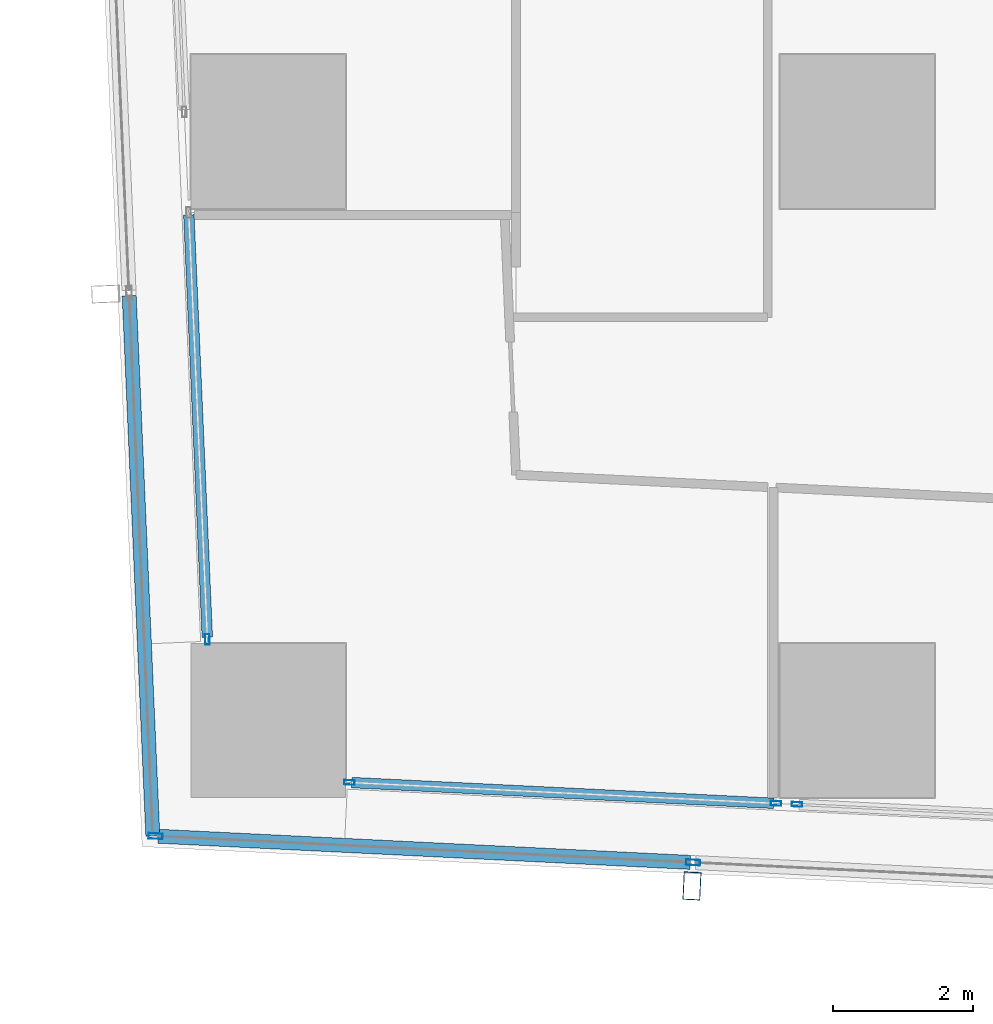
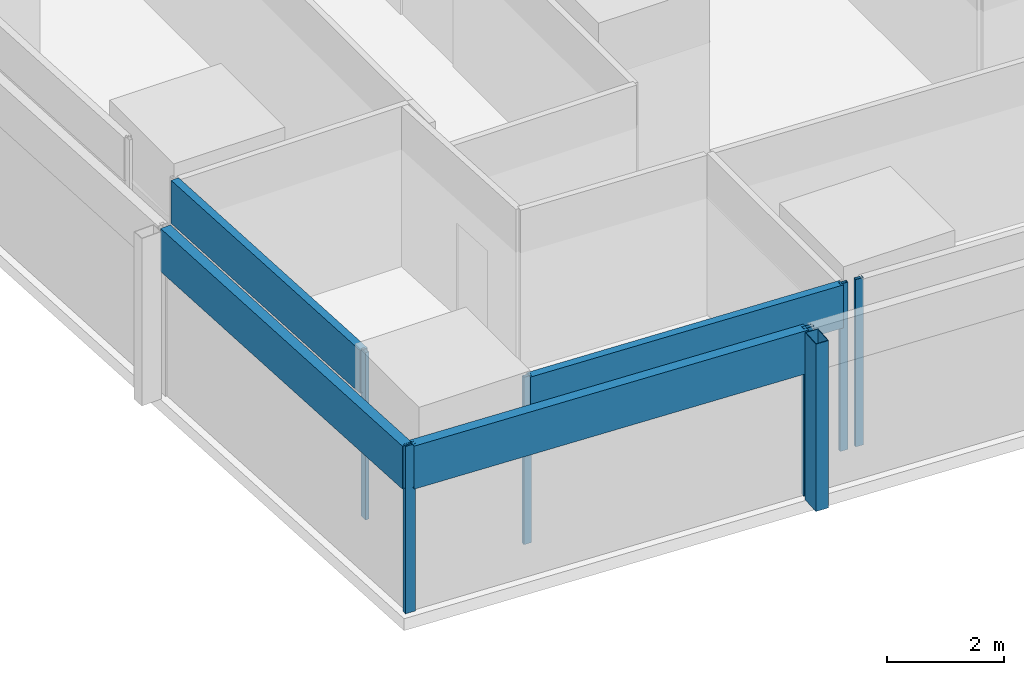
# One storey, part 2 of 45: 11 members, 5 elements without a shape of their own.
"""IFC4 building model written with IfcOpenShell, lengths in metres."""

from ifc_helpers import new_model, si_unit, direction, frame, origin, origin_2d, place, context, subcontext, project, spatial, hollow_rectangle, extrude, material, material_profile, profile_set, type_object, element, aggregate, save


model = new_model("IFC4")

# Units and contexts
model_context = context("Model", 3, precision=1e-05, world=origin(), true_north=direction((0.0, 1.0)))
body_context = subcontext(model_context, "Body", "Model", "MODEL_VIEW")
ifc_project = project(units=[si_unit("LENGTHUNIT", "METRE"), si_unit("AREAUNIT", "SQUARE_METRE"), si_unit("VOLUMEUNIT", "CUBIC_METRE"), si_unit("PLANEANGLEUNIT", "RADIAN"), si_unit("MASSUNIT", "GRAM", prefix="KILO")], contexts=[model_context])

# Site, building, storey
site_placement = place(None, origin())
site = spatial("IfcSite", under=ifc_project, at=site_placement, CompositionType="ELEMENT")
building_placement = place(site_placement, origin())
building = spatial("IfcBuilding", under=site, at=building_placement, Name="Rekha Terrace Tower", CompositionType="ELEMENT")
storey_placement = place(building_placement, frame((0.0, 0.0, 32.89990234375)))
storey = spatial("IfcBuildingStorey", under=building, at=storey_placement, Name="L07", CompositionType="ELEMENT", Elevation=32.89990234375)

# Curtain wall, member
ifc_material_1 = material(Name="Aluminium framing", Category="aluminium")
curtain_wall_type_1 = type_object("IfcCurtainWallType", Name="CW2 double skin outer glazing", PredefinedType="USERDEFINED", material=ifc_material_1)
curtain_wall_1_placement = place(storey_placement, origin())
curtain_wall_1 = element("IfcCurtainWall", 1, at=curtain_wall_1_placement, inside=storey, type_object=curtain_wall_type_1, Name="CW2 double skin outer glazing", ObjectType="DOUBLE SKIN OUTER GLAZING", PredefinedType="USERDEFINED")
ifc_material_2 = material(Name="Steel S355 with fluorocarbon finish", Category="steel")
ifc_material_profile_1 = material_profile(ifc_material_2, hollow_rectangle(XDim=0.25, YDim=0.39990234375, WallThickness=0.012451171875, at=origin_2d()), Name="RHS400x250x12.5")
ifc_profile_set_1 = profile_set([ifc_material_profile_1], Name="Steel S355 with fluorocarbon finish")
member_type_1 = type_object("IfcMemberType", Name="BL1 facade blade RHS 400 x 250", PredefinedType="USERDEFINED", material=ifc_profile_set_1)
member_1_placement = place(storey_placement, frame((14.443603515625, 6.03955078125, 0.0), z_axis=(0.0, 0.0, 1.0), x_axis=(0.998796226835, -0.049051985279, 0.0)))
member_1 = element("IfcMember", 2, at=member_1_placement, type_object=member_type_1, Name="Facade blade", ObjectType="FACADE BLADE", PredefinedType="USERDEFINED", context=body_context, shape_type="SweptSolid", body=[
    extrude(hollow_rectangle(XDim=0.25, YDim=0.39990234375, WallThickness=0.012451171875, at=origin_2d()), origin(), (0.0, 0.0, 1.0), 3.5),
])

# Curtain wall, members
curtain_wall_type_2 = type_object("IfcCurtainWallType", Name="CW1 double skin inner glazing", PredefinedType="USERDEFINED", material=ifc_material_1)
curtain_wall_2_placement = place(storey_placement, origin())
curtain_wall_2 = element("IfcCurtainWall", 3, at=curtain_wall_2_placement, inside=storey, type_object=curtain_wall_type_2, Name="CW1 double skin inner glazing", ObjectType="DOUBLE SKIN INNER GLAZING", PredefinedType="USERDEFINED")
ifc_material_3 = material(Name="Aluminium mullion section", Category="aluminium")
ifc_material_profile_2 = material_profile(ifc_material_3, hollow_rectangle(XDim=0.06494140625, YDim=0.14990234375, WallThickness=0.00390625, at=origin_2d()), Name="AL RHS 65x150")
ifc_profile_set_2 = profile_set([ifc_material_profile_2], Name="Aluminium mullion section")
member_type_2 = type_object("IfcMemberType", Name="CW1 mullion RHS 65 x 150", PredefinedType="MULLION", material=ifc_profile_set_2)
member_2_placement = place(storey_placement, frame((9.55712890625, 7.51611328125, 0.0), z_axis=(0.0, 0.0, 1.0), x_axis=(0.049051717693, 0.998796239977, 0.0)))
member_2 = element("IfcMember", 4, at=member_2_placement, type_object=member_type_2, Name="CW1 mullion 1", PredefinedType="MULLION", context=body_context, shape_type="SweptSolid", body=[
    extrude(hollow_rectangle(XDim=0.06494140625, YDim=0.14990234375, WallThickness=0.00390625, at=origin_2d()), origin(), (0.0, 0.0, 1.0), 3.5),
])
member_3_placement = place(storey_placement, frame((15.642822265625, 7.21728515625, 0.0), z_axis=(0.0, 0.0, 1.0), x_axis=(0.049051717693, 0.998796239977, 0.0)))
member_3 = element("IfcMember", 5, at=member_3_placement, type_object=member_type_2, Name="CW1 mullion 2", PredefinedType="MULLION", context=body_context, shape_type="SweptSolid", body=[
    extrude(hollow_rectangle(XDim=0.06494140625, YDim=0.14990234375, WallThickness=0.00390625, at=origin_2d()), origin(), (0.0, 0.0, 1.0), 3.5),
])

# Curtain wall, member
curtain_wall_3_placement = place(storey_placement, origin())
curtain_wall_3 = element("IfcCurtainWall", 6, at=curtain_wall_3_placement, inside=storey, type_object=curtain_wall_type_2, Name="CW1 double skin inner glazing", ObjectType="DOUBLE SKIN INNER GLAZING", PredefinedType="USERDEFINED")
member_4_placement = place(storey_placement, frame((15.94091796875, 7.20263671875, 0.0), z_axis=(0.0, 0.0, 1.0), x_axis=(0.049051717746, 0.998796239974, 0.0)))
member_4 = element("IfcMember", 7, at=member_4_placement, type_object=member_type_2, Name="CW1 mullion 1", PredefinedType="MULLION", context=body_context, shape_type="SweptSolid", body=[
    extrude(hollow_rectangle(XDim=0.06494140625, YDim=0.14990234375, WallThickness=0.00390625, at=origin_2d()), origin(), (0.0, 0.0, 1.0), 3.5),
])
aggregate(curtain_wall_3, [member_4])

curtain_wall_4_placement = place(storey_placement, origin())
curtain_wall_4 = element("IfcCurtainWall", 8, at=curtain_wall_4_placement, inside=storey, type_object=curtain_wall_type_2, Name="CW1 double skin inner glazing", ObjectType="DOUBLE SKIN INNER GLAZING", PredefinedType="USERDEFINED")
member_5_placement = place(storey_placement, frame((7.53173828125, 9.556640625, 0.0), z_axis=(0.0, 0.0, 1.0), x_axis=(0.999045462129, 0.043682543424, 0.0)))
member_5 = element("IfcMember", 9, at=member_5_placement, type_object=member_type_2, Name="CW1 mullion 2", PredefinedType="MULLION", context=body_context, shape_type="SweptSolid", body=[
    extrude(hollow_rectangle(XDim=0.06494140625, YDim=0.14990234375, WallThickness=0.00390625, at=origin_2d()), origin(), (0.0, 0.0, 1.0), 3.5),
])

# Member
ifc_material_4 = material(Name="Insulated aluminium spandrel box", Category="aluminium")
ifc_material_profile_3 = material_profile(ifc_material_4, hollow_rectangle(XDim=0.14990234375, YDim=0.89990234375, WallThickness=0.0029296875, at=origin_2d()), Name="AL SPANDREL BOX 150x900")
ifc_profile_set_3 = profile_set([ifc_material_profile_3], Name="Insulated aluminium spandrel box")
member_type_3 = type_object("IfcMemberType", Name="CW1 spandrel transom 150 x 900", PredefinedType="USERDEFINED", material=ifc_profile_set_3)
member_6_placement = place(storey_placement, frame((9.589599609375, 7.514404296875, 3.050048828125), z_axis=(0.99879648266, -0.049046775901, 0.0), x_axis=(0.049046775901, 0.99879648266, 0.0)))
member_6 = element("IfcMember", 10, at=member_6_placement, type_object=member_type_3, Name="CW1 spandrel transom 1", ObjectType="TRANSOM", PredefinedType="USERDEFINED", context=body_context, shape_type="SweptSolid", body=[
    extrude(hollow_rectangle(XDim=0.14990234375, YDim=0.89990234375, WallThickness=0.0029296875, at=origin_2d()), origin(), (0.0, 0.0, 1.0), 6.028076171875),
])

aggregate(curtain_wall_2, [member_2, member_3, member_6])

member_7_placement = place(storey_placement, frame((7.26708984375, 15.61083984375, 3.050048828125), z_axis=(0.043663972565, -0.999046273953, 0.0), x_axis=(0.999046273953, 0.043663972565, 0.0)))
member_7 = element("IfcMember", 11, at=member_7_placement, type_object=member_type_3, Name="CW1 spandrel transom 1", ObjectType="TRANSOM", PredefinedType="USERDEFINED", context=body_context, shape_type="SweptSolid", body=[
    extrude(hollow_rectangle(XDim=0.14990234375, YDim=0.89990234375, WallThickness=0.0029296875, at=origin_2d()), origin(), (0.0, 0.0, 1.0), 6.027587890625),
])

aggregate(curtain_wall_4, [member_5, member_7])

ifc_material_profile_4 = material_profile(ifc_material_3, hollow_rectangle(XDim=0.080078125, YDim=0.199951171875, WallThickness=0.00390625, at=origin_2d()), Name="AL RHS 80x200")
ifc_profile_set_4 = profile_set([ifc_material_profile_4], Name="Aluminium mullion section")
member_type_4 = type_object("IfcMemberType", Name="CW2 mullion RHS 80 x 200", PredefinedType="MULLION", material=ifc_profile_set_4)
member_8_placement = place(storey_placement, frame((6.79345703125, 6.750732421875, 0.0), z_axis=(0.0, 0.0, 1.0), x_axis=(0.049051717746, 0.998796239974, 0.0)))
member_8 = element("IfcMember", 12, at=member_8_placement, type_object=member_type_4, Name="CW2 mullion 1", PredefinedType="MULLION", context=body_context, shape_type="SweptSolid", body=[
    extrude(hollow_rectangle(XDim=0.080078125, YDim=0.199951171875, WallThickness=0.00390625, at=origin_2d()), origin(), (0.0, 0.0, 1.0), 3.5),
])

member_9_placement = place(storey_placement, frame((14.4599609375, 6.374267578125, 0.0), z_axis=(0.0, 0.0, 1.0), x_axis=(0.049051717746, 0.998796239974, 0.0)))
member_9 = element("IfcMember", 13, at=member_9_placement, type_object=member_type_4, Name="CW2 mullion 2", PredefinedType="MULLION", context=body_context, shape_type="SweptSolid", body=[
    extrude(hollow_rectangle(XDim=0.080078125, YDim=0.199951171875, WallThickness=0.00390625, at=origin_2d()), origin(), (0.0, 0.0, 1.0), 3.5),
])

ifc_material_profile_5 = material_profile(ifc_material_4, hollow_rectangle(XDim=0.199951171875, YDim=0.89990234375, WallThickness=0.0029296875, at=origin_2d()), Name="AL SPANDREL BOX 200x900")
ifc_profile_set_5 = profile_set([ifc_material_profile_5], Name="Insulated aluminium spandrel box")
member_type_5 = type_object("IfcMemberType", Name="CW2 spandrel transom 200 x 900", PredefinedType="USERDEFINED", material=ifc_profile_set_5)
member_10_placement = place(storey_placement, frame((6.83349609375, 6.748779296875, 3.050048828125), z_axis=(0.99879635036, -0.049049469996, 0.0), x_axis=(0.049049469996, 0.99879635036, 0.0)))
member_10 = element("IfcMember", 14, at=member_10_placement, type_object=member_type_5, Name="CW2 spandrel transom 1", ObjectType="TRANSOM", PredefinedType="USERDEFINED", context=body_context, shape_type="SweptSolid", body=[
    extrude(hollow_rectangle(XDim=0.199951171875, YDim=0.89990234375, WallThickness=0.0029296875, at=origin_2d()), origin(), (0.0, 0.0, 1.0), 7.595458984375),
])

aggregate(curtain_wall_1, [member_8, member_9, member_10, member_1])

# Curtain wall, member
curtain_wall_5_placement = place(storey_placement, origin())
curtain_wall_5 = element("IfcCurtainWall", 15, at=curtain_wall_5_placement, inside=storey, type_object=curtain_wall_type_1, Name="CW2 double skin outer glazing", ObjectType="DOUBLE SKIN OUTER GLAZING", PredefinedType="USERDEFINED")
member_11_placement = place(storey_placement, frame((6.41650390625, 14.45703125, 3.050048828125), z_axis=(0.043688638652, -0.999045195601, 0.0), x_axis=(0.999045195601, 0.043688638652, 0.0)))
member_11 = element("IfcMember", 16, at=member_11_placement, type_object=member_type_5, Name="CW2 spandrel transom 5", ObjectType="TRANSOM", PredefinedType="USERDEFINED", context=body_context, shape_type="SweptSolid", body=[
    extrude(hollow_rectangle(XDim=0.199951171875, YDim=0.89990234375, WallThickness=0.0029296875, at=origin_2d()), origin(), (0.0, 0.0, 1.0), 7.711669921875),
])
aggregate(curtain_wall_5, [member_11])

save(model, "model.ifc")
